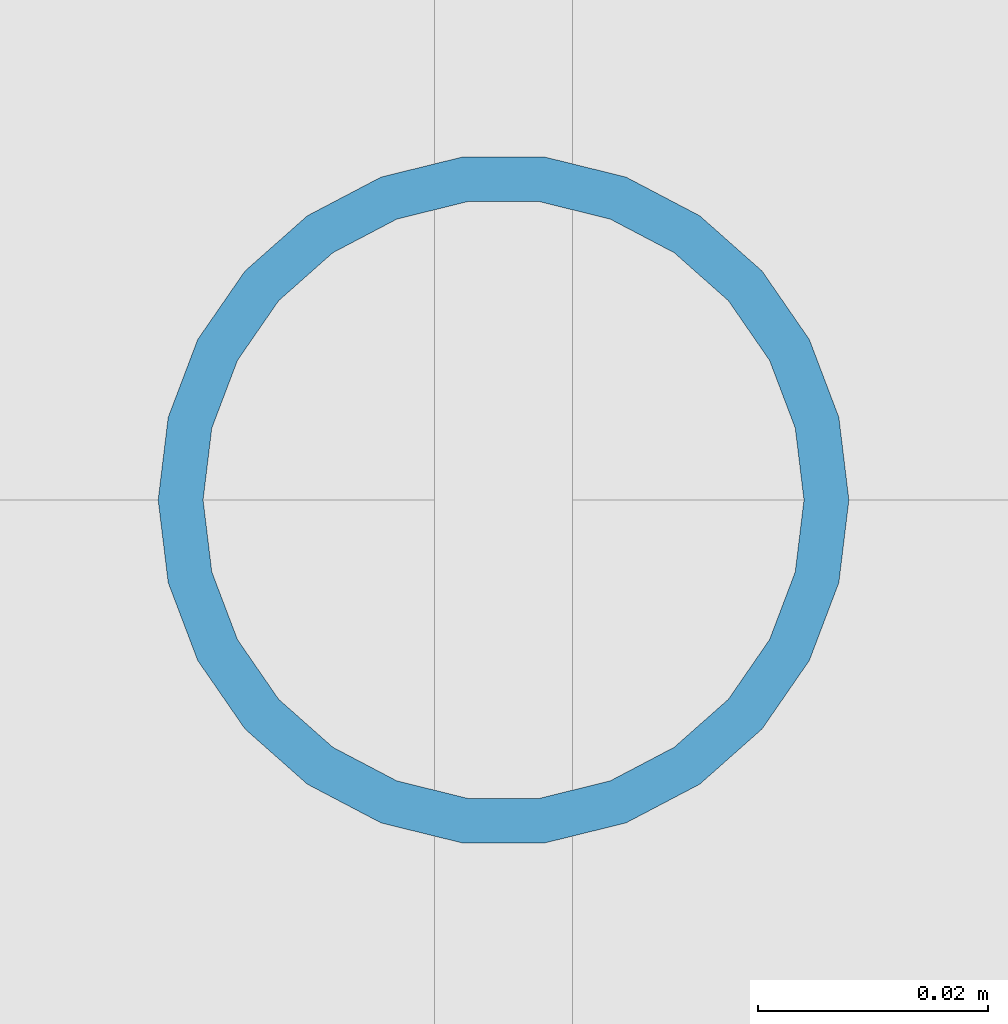
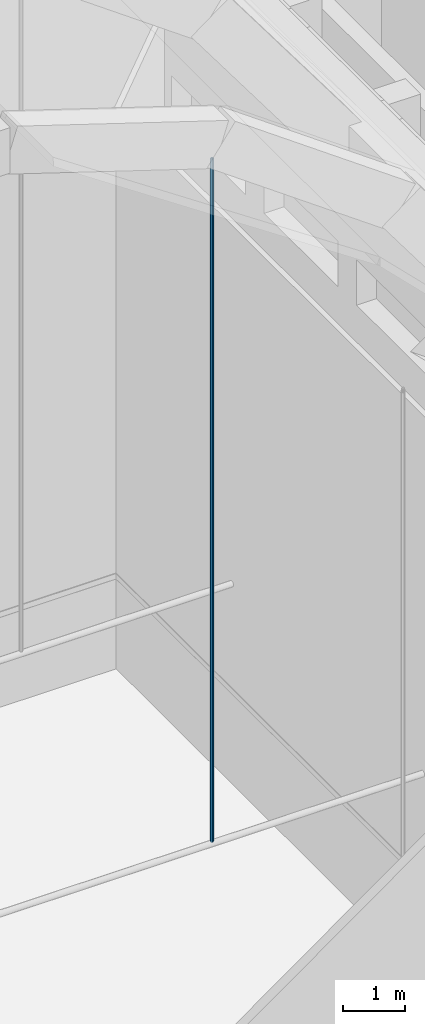
# One storey, part 24 of 55: 1 member.
"""IFC4 building model written with IfcOpenShell, lengths in metres."""

from ifc_helpers import new_model, si_unit, direction, frame, origin, origin_2d, place, context, subcontext, project, spatial, hollow_circle, extrude, material, material_profile, profile_set, type_object, element, save


model = new_model("IFC4")

# Units and contexts
model_context = context("Model", 3, precision=1e-05, world=origin(), true_north=direction((0.0, 1.0)))
body_context = subcontext(model_context, "Body", "Model", "MODEL_VIEW")
ifc_project = project(units=[si_unit("LENGTHUNIT", "METRE"), si_unit("AREAUNIT", "SQUARE_METRE"), si_unit("VOLUMEUNIT", "CUBIC_METRE"), si_unit("PLANEANGLEUNIT", "RADIAN"), si_unit("MASSUNIT", "GRAM", prefix="KILO")], contexts=[model_context])

# Site, building, storey
site_placement = place(None, origin())
site = spatial("IfcSite", under=ifc_project, at=site_placement, CompositionType="ELEMENT")
building_placement = place(site_placement, origin())
building = spatial("IfcBuilding", under=site, at=building_placement, Name="Lunette Opera House", CompositionType="ELEMENT")
storey_placement = place(building_placement, frame((0.0, 0.0, 34.0)))
storey = spatial("IfcBuildingStorey", under=building, at=storey_placement, Name="L06", CompositionType="ELEMENT", Elevation=34.0)

# Member
ifc_material = material(Name="Steel S355", Category="steel")
ifc_material_profile = material_profile(ifc_material, hollow_circle(Radius=0.030029296875, WallThickness=0.00390625, at=origin_2d()), Name="CHS 60.3X4")
ifc_profile_set = profile_set([ifc_material_profile], Name="Steel S355")
member_type = type_object("IfcMemberType", Name="CHS 60.3X4", PredefinedType="POST", material=ifc_profile_set)
member_placement = place(storey_placement, frame((102.0, 108.0, 4.030029296875), z_axis=(0.0, 0.0, 1.0), x_axis=(1.0, 0.0, 0.0)))
element("IfcMember", 1, at=member_placement, inside=storey, type_object=member_type, Name="mem-ST-L06-TH3-102", PredefinedType="POST", context=body_context, shape_type="SweptSolid", body=[
    extrude(hollow_circle(Radius=0.030029296875, WallThickness=0.00390625, at=origin_2d()), origin(), (0.0, 0.0, 1.0), 13.5390625),
])

save(model, "model.ifc")
